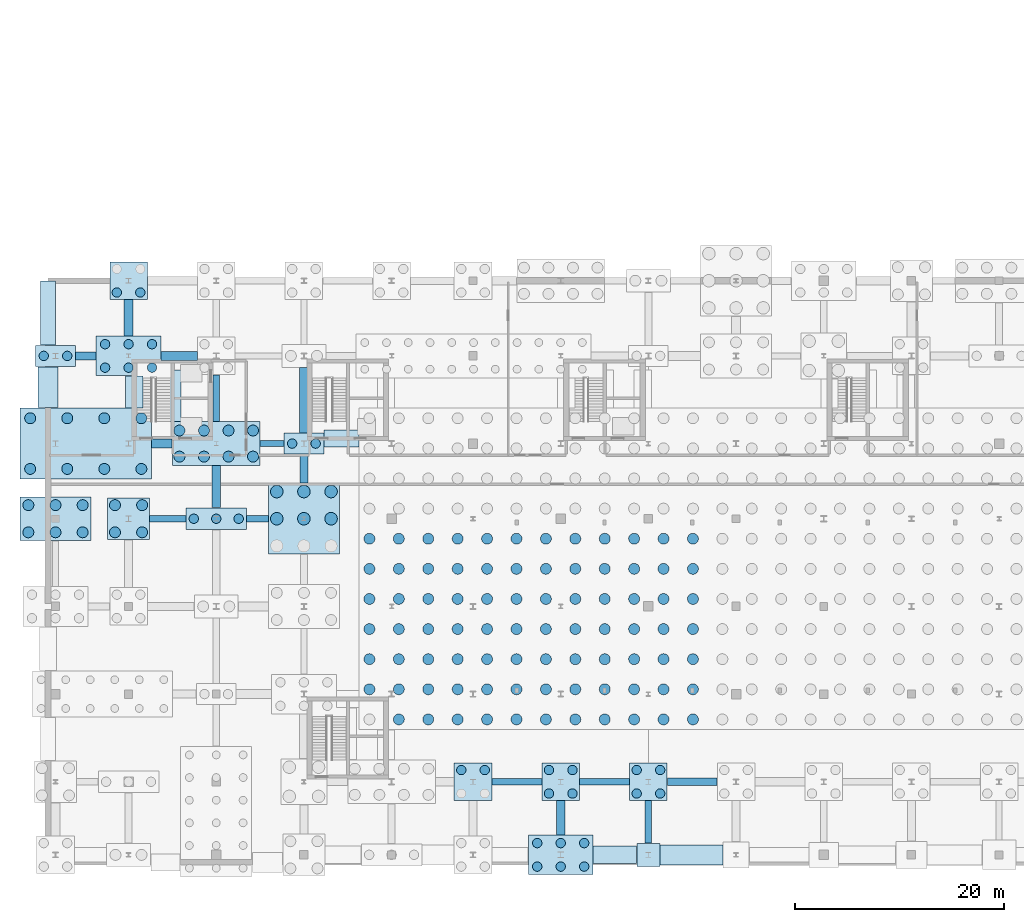
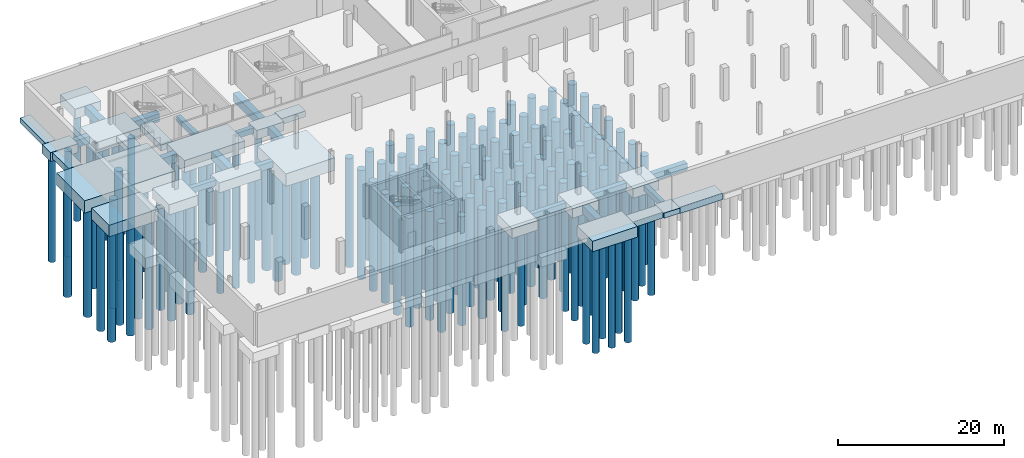
# One storey, part 2 of 32: 146 piles, 38 footings.
"""IFC4 building model written with IfcOpenShell, lengths in metres."""

from ifc_helpers import new_model, si_unit, direction, frame, origin_with_axes, origin_2d_with_axis, place, context, subcontext, project, spatial, rectangle, circle, extrude, material, material_profile, profile_set, type_object, element, save


model = new_model("IFC4")

# Units and contexts
model_context = context("Model", 3, precision=1e-05, world=origin_with_axes(), true_north=direction((0.0, 1.0)))
body_context = subcontext(model_context, "Body", "Model", "MODEL_VIEW")
ifc_project = project(units=[si_unit("LENGTHUNIT", "METRE"), si_unit("AREAUNIT", "SQUARE_METRE"), si_unit("VOLUMEUNIT", "CUBIC_METRE"), si_unit("PLANEANGLEUNIT", "RADIAN"), si_unit("MASSUNIT", "GRAM", prefix="KILO"), si_unit("THERMODYNAMICTEMPERATUREUNIT", "KELVIN")], contexts=[model_context])

# Site, building, storey
site_placement = place(None, origin_with_axes())
site = spatial("IfcSite", under=ifc_project, at=site_placement, CompositionType="ELEMENT")
building_placement = place(site_placement, origin_with_axes())
building = spatial("IfcBuilding", under=site, at=building_placement, Name="Montbau Bow Law Courts", CompositionType="ELEMENT")
storey_placement = place(building_placement, frame((0.0, 0.0, -4.8), z_axis=(0.0, 0.0, 1.0), x_axis=(1.0, 0.0, 0.0)))
storey = spatial("IfcBuildingStorey", under=building, at=storey_placement, Name="B1", CompositionType="ELEMENT", Elevation=-4.8)

# Footings
ifc_material_1 = material(Name="Concrete CSA A23.1 f'c 35 MPa", Category="concrete")
footing_type_1 = type_object("IfcFootingType", Name="FB-01", PredefinedType="FOOTING_BEAM", material=ifc_material_1)
footing_1_placement = place(None, frame((59.4, 13.8, -6.25), z_axis=(0.0, 0.0, 1.0), x_axis=(1.0, 0.0, 0.0)))
element("IfcFooting", 1, at=footing_1_placement, inside=storey, type_object=footing_type_1, Name="FB-005:fbm2_0023", PredefinedType="FOOTING_BEAM", context=body_context, shape_type="SweptSolid", body=[
    extrude(rectangle(XDim=4.77, YDim=0.65, at=origin_2d_with_axis()), origin_with_axes(), (0.0, 0.0, 1.0), 0.9),
])
footing_2_placement = place(None, frame((26.15, 39.0, -6.25), z_axis=(0.0, 0.0, 1.0), x_axis=(1.0, 0.0, 0.0)))
element("IfcFooting", 2, at=footing_2_placement, inside=storey, type_object=footing_type_1, Name="FB-029:fbm2_0047", PredefinedType="FOOTING_BEAM", context=body_context, shape_type="SweptSolid", body=[
    extrude(rectangle(XDim=2.07, YDim=0.65, at=origin_2d_with_axis()), origin_with_axes(), (0.0, 0.0, 1.0), 0.9),
])
footing_type_2 = type_object("IfcFootingType", Name="FB-02", PredefinedType="FOOTING_BEAM", material=ifc_material_1)
footing_3_placement = place(None, frame((67.8, 13.8, -6.4), z_axis=(0.0, 0.0, 1.0), x_axis=(1.0, 0.0, 0.0)))
element("IfcFooting", 3, at=footing_3_placement, inside=storey, type_object=footing_type_2, Name="FB-006:fbm2_0024", PredefinedType="FOOTING_BEAM", context=body_context, shape_type="SweptSolid", body=[
    extrude(rectangle(XDim=4.77, YDim=0.75, at=origin_2d_with_axis()), origin_with_axes(), (0.0, 0.0, 1.0), 1.05),
])
footing_4_placement = place(None, frame((9.7, 54.6, -6.4), z_axis=(0.0, 0.0, 1.0), x_axis=(1.0, 0.0, 0.0)))
element("IfcFooting", 4, at=footing_4_placement, inside=storey, type_object=footing_type_2, Name="FB-042:fbm2_0060", PredefinedType="FOOTING_BEAM", context=body_context, shape_type="SweptSolid", body=[
    extrude(rectangle(XDim=1.97, YDim=0.75, at=origin_2d_with_axis()), origin_with_axes(), (0.0, 0.0, 1.0), 1.05),
])
footing_5_placement = place(None, frame((30.6, 43.8, -6.4), z_axis=(0.0, 0.0, 1.0), x_axis=(0.0, 1.0, 0.0)))
element("IfcFooting", 5, at=footing_5_placement, inside=storey, type_object=footing_type_2, Name="FB-110:fbm2_0128", PredefinedType="FOOTING_BEAM", context=body_context, shape_type="SweptSolid", body=[
    extrude(rectangle(XDim=2.77, YDim=0.75, at=origin_2d_with_axis()), origin_with_axes(), (0.0, 0.0, 1.0), 1.05),
])
footing_type_3 = type_object("IfcFootingType", Name="FB-03", PredefinedType="FOOTING_BEAM", material=ifc_material_1)
footing_6_placement = place(None, frame((17.0, 46.2, -6.55), z_axis=(0.0, 0.0, 1.0), x_axis=(1.0, 0.0, 0.0)))
element("IfcFooting", 6, at=footing_6_placement, inside=storey, type_object=footing_type_3, Name="FB-035:fbm2_0053", PredefinedType="FOOTING_BEAM", context=body_context, shape_type="SweptSolid", body=[
    extrude(rectangle(XDim=1.97, YDim=0.85, at=origin_2d_with_axis()), origin_with_axes(), (0.0, 0.0, 1.0), 1.2),
])
for number, where, z_axis, x_axis, name in (
    (7, (18.65, 54.6, -6.55), (0.0, 0.0, 1.0), (1.0, 0.0, 0.0), "FB-043:fbm2_0061"),
    (8, (13.8, 58.25, -6.55), (0.0, 0.0, 1.0), (0.0, 1.0, 0.0), "FB-099:fbm2_0117"),
):
    element("IfcFooting", number, at=place(None, frame(where, z_axis=z_axis, x_axis=x_axis)), inside=storey, type_object=footing_type_3, Name=name, PredefinedType="FOOTING_BEAM", context=body_context, shape_type="SweptSolid", body=[
        extrude(rectangle(XDim=3.47, YDim=0.85, at=origin_2d_with_axis()), origin_with_axes(), (0.0, 0.0, 1.0), 1.2),
    ])
footing_7_placement = place(None, frame((22.2, 42.075, -6.55), z_axis=(0.0, 0.0, 1.0), x_axis=(0.0, 1.0, 0.0)))
element("IfcFooting", 9, at=footing_7_placement, inside=storey, type_object=footing_type_3, Name="FB-103:fbm2_0121", PredefinedType="FOOTING_BEAM", context=body_context, shape_type="SweptSolid", body=[
    extrude(rectangle(XDim=4.02, YDim=0.85, at=origin_2d_with_axis()), origin_with_axes(), (0.0, 0.0, 1.0), 1.2),
])
footing_8_placement = place(None, frame((30.6, 50.35, -6.55), z_axis=(0.0, 0.0, 1.0), x_axis=(0.0, 1.0, 0.0)))
element("IfcFooting", 10, at=footing_8_placement, inside=storey, type_object=footing_type_3, Name="FB-111:fbm2_0129", PredefinedType="FOOTING_BEAM", context=body_context, shape_type="SweptSolid", body=[
    extrude(rectangle(XDim=6.27, YDim=0.85, at=origin_2d_with_axis()), origin_with_axes(), (0.0, 0.0, 1.0), 1.2),
])
footing_9_placement = place(None, frame((55.2, 10.35, -6.55), z_axis=(0.0, 0.0, 1.0), x_axis=(0.0, 1.0, 0.0)))
element("IfcFooting", 11, at=footing_9_placement, inside=storey, type_object=footing_type_3, Name="FB-115:fbm2_0133", PredefinedType="FOOTING_BEAM", context=body_context, shape_type="SweptSolid", body=[
    extrude(rectangle(XDim=3.27, YDim=0.85, at=origin_2d_with_axis()), origin_with_axes(), (0.0, 0.0, 1.0), 1.2),
])
footing_type_4 = type_object("IfcFootingType", Name="FB-04", PredefinedType="FOOTING_BEAM", material=ifc_material_1)
footing_10_placement = place(None, frame((51.0, 13.8, -6.15), z_axis=(0.0, 0.0, 1.0), x_axis=(1.0, 0.0, 0.0)))
element("IfcFooting", 12, at=footing_10_placement, inside=storey, type_object=footing_type_4, Name="FB-004:fbm2_0022", PredefinedType="FOOTING_BEAM", context=body_context, shape_type="SweptSolid", body=[
    extrude(rectangle(XDim=4.77, YDim=0.6, at=origin_2d_with_axis()), origin_with_axes(), (0.0, 0.0, 1.0), 0.8),
])
footing_11_placement = place(None, frame((17.55, 39.0, -6.15), z_axis=(0.0, 0.0, 1.0), x_axis=(1.0, 0.0, 0.0)))
element("IfcFooting", 13, at=footing_11_placement, inside=storey, type_object=footing_type_4, Name="FB-028:fbm2_0046", PredefinedType="FOOTING_BEAM", context=body_context, shape_type="SweptSolid", body=[
    extrude(rectangle(XDim=3.47, YDim=0.6, at=origin_2d_with_axis()), origin_with_axes(), (0.0, 0.0, 1.0), 0.8),
])
footing_12_placement = place(None, frame((27.55, 46.2, -6.15), z_axis=(0.0, 0.0, 1.0), x_axis=(1.0, 0.0, 0.0)))
element("IfcFooting", 14, at=footing_12_placement, inside=storey, type_object=footing_type_4, Name="FB-036:fbm2_0054", PredefinedType="FOOTING_BEAM", context=body_context, shape_type="SweptSolid", body=[
    extrude(rectangle(XDim=2.27, YDim=0.6, at=origin_2d_with_axis()), origin_with_axes(), (0.0, 0.0, 1.0), 0.8),
])
footing_13_placement = place(None, frame((22.2, 50.55, -6.15), z_axis=(0.0, 0.0, 1.0), x_axis=(0.0, 1.0, 0.0)))
element("IfcFooting", 15, at=footing_13_placement, inside=storey, type_object=footing_type_4, Name="FB-104:fbm2_0122", PredefinedType="FOOTING_BEAM", context=body_context, shape_type="SweptSolid", body=[
    extrude(rectangle(XDim=4.47, YDim=0.6, at=origin_2d_with_axis()), origin_with_axes(), (0.0, 0.0, 1.0), 0.8),
])
footing_14_placement = place(None, frame((63.6, 9.95, -6.15), z_axis=(0.0, 0.0, 1.0), x_axis=(0.0, 1.0, 0.0)))
element("IfcFooting", 16, at=footing_14_placement, inside=storey, type_object=footing_type_4, Name="FB-116:fbm2_0134", PredefinedType="FOOTING_BEAM", context=body_context, shape_type="SweptSolid", body=[
    extrude(rectangle(XDim=4.07, YDim=0.6, at=origin_2d_with_axis()), origin_with_axes(), (0.0, 0.0, 1.0), 0.8),
])
footing_type_5 = type_object("IfcFootingType", Name="FC-01", PredefinedType="PILE_CAP", material=ifc_material_1)
for number, where, z_axis, x_axis, name in (
    (17, (13.8, 61.8, -6.75), (0.0, 0.0, 1.0), (1.0, 0.0, 0.0), "FC-PLZ-01:ftg2_0124"),
    (18, (46.8, 13.8, -6.75), (0.0, 0.0, 1.0), (1.0, 0.0, 0.0), "FC-PLZ-06:ftg2_0129"),
    (19, (55.2, 13.8, -6.75), (0.0, 0.0, 1.0), (1.0, 0.0, 0.0), "FC-PLZ-07:ftg2_0130"),
    (20, (63.6, 13.8, -6.75), (0.0, 0.0, 1.0), (1.0, 0.0, 0.0), "FC-PLZ-08:ftg2_0131"),
):
    element("IfcFooting", number, at=place(None, frame(where, z_axis=z_axis, x_axis=x_axis)), inside=storey, type_object=footing_type_5, Name=name, PredefinedType="PILE_CAP", context=body_context, shape_type="SweptSolid", body=[
        extrude(rectangle(XDim=3.6, YDim=3.6, at=origin_2d_with_axis()), origin_with_axes(), (0.0, 0.0, 1.0), 1.4),
    ])
footing_type_6 = type_object("IfcFootingType", Name="FC-02", PredefinedType="PILE_CAP", material=ifc_material_1)
footing_15_placement = place(None, frame((13.8, 39.0, -6.85), z_axis=(0.0, 0.0, 1.0), x_axis=(1.0, 0.0, 0.0)))
element("IfcFooting", 21, at=footing_15_placement, inside=storey, type_object=footing_type_6, Name="FCA-011:ftg2_0011", PredefinedType="PILE_CAP", context=body_context, shape_type="SweptSolid", body=[
    extrude(rectangle(XDim=4.0, YDim=4.0, at=origin_2d_with_axis()), origin_with_axes(), (0.0, 0.0, 1.0), 1.5),
])
footing_type_7 = type_object("IfcFootingType", Name="FC-04", PredefinedType="PILE_CAP", material=ifc_material_1)
for number, where, z_axis, x_axis, name in (
    (22, (13.8, 54.6, -6.9), (0.0, 0.0, 1.0), (1.0, 0.0, 0.0), "FCA-012:ftg2_0012"),
    (23, (55.2, 6.8, -6.9), (0.0, 0.0, 1.0), (1.0, 0.0, 0.0), "FCA-031:ftg2_0031"),
):
    element("IfcFooting", number, at=place(None, frame(where, z_axis=z_axis, x_axis=x_axis)), inside=storey, type_object=footing_type_7, Name=name, PredefinedType="PILE_CAP", context=body_context, shape_type="SweptSolid", body=[
        extrude(rectangle(XDim=6.2, YDim=3.8, at=origin_2d_with_axis()), origin_with_axes(), (0.0, 0.0, 1.0), 1.55),
    ])
footing_type_8 = type_object("IfcFootingType", Name="FC-05", PredefinedType="PILE_CAP", material=ifc_material_1)
footing_16_placement = place(None, frame((6.8, 39.0, -7.05), z_axis=(0.0, 0.0, 1.0), x_axis=(1.0, 0.0, 0.0)))
element("IfcFooting", 24, at=footing_16_placement, inside=storey, type_object=footing_type_8, Name="FCA-005:ftg2_0005", PredefinedType="PILE_CAP", context=body_context, shape_type="SweptSolid", body=[
    extrude(rectangle(XDim=6.8, YDim=4.2, at=origin_2d_with_axis()), origin_with_axes(), (0.0, 0.0, 1.0), 1.7),
])
footing_type_9 = type_object("IfcFootingType", Name="FC-06", PredefinedType="PILE_CAP", material=ifc_material_1)
footing_17_placement = place(None, frame((30.6, 39.0, -7.2), z_axis=(0.0, 0.0, 1.0), x_axis=(1.0, 0.0, 0.0)))
element("IfcFooting", 25, at=footing_17_placement, inside=storey, type_object=footing_type_9, Name="FCA-023:ftg2_0023", PredefinedType="PILE_CAP", context=body_context, shape_type="SweptSolid", body=[
    extrude(rectangle(XDim=6.8, YDim=6.8, at=origin_2d_with_axis()), origin_with_axes(), (0.0, 0.0, 1.0), 1.85),
])
footing_type_10 = type_object("IfcFootingType", Name="FC-07", PredefinedType="PILE_CAP", material=ifc_material_1)
for number, where, z_axis, x_axis, name in (
    (26, (6.8, 54.6, -6.65), (0.0, 0.0, 1.0), (1.0, 0.0, 0.0), "FCA-007:ftg2_0007"),
    (27, (30.6, 46.2, -6.65), (0.0, 0.0, 1.0), (1.0, 0.0, 0.0), "FCA-024:ftg2_0024"),
):
    element("IfcFooting", number, at=place(None, frame(where, z_axis=z_axis, x_axis=x_axis)), inside=storey, type_object=footing_type_10, Name=name, PredefinedType="PILE_CAP", context=body_context, shape_type="SweptSolid", body=[
        extrude(rectangle(XDim=3.8, YDim=2.0, at=origin_2d_with_axis()), origin_with_axes(), (0.0, 0.0, 1.0), 1.3),
    ])
footing_type_11 = type_object("IfcFootingType", Name="FC-09", PredefinedType="PILE_CAP", material=ifc_material_1)
footing_18_placement = place(None, frame((22.2, 39.0, -6.8), z_axis=(0.0, 0.0, 1.0), x_axis=(1.0, 0.0, 0.0)))
element("IfcFooting", 28, at=footing_18_placement, inside=storey, type_object=footing_type_11, Name="FCA-016:ftg2_0016", PredefinedType="PILE_CAP", context=body_context, shape_type="SweptSolid", body=[
    extrude(rectangle(XDim=5.8, YDim=2.1, at=origin_2d_with_axis()), origin_with_axes(), (0.0, 0.0, 1.0), 1.45),
])
footing_type_12 = type_object("IfcFootingType", Name="FC-10", PredefinedType="PILE_CAP", material=ifc_material_1)
footing_19_placement = place(None, frame((22.2, 46.2, -7.1), z_axis=(0.0, 0.0, 1.0), x_axis=(1.0, 0.0, 0.0)))
element("IfcFooting", 29, at=footing_19_placement, inside=storey, type_object=footing_type_12, Name="FCA-017:ftg2_0017", PredefinedType="PILE_CAP", context=body_context, shape_type="SweptSolid", body=[
    extrude(rectangle(XDim=8.4, YDim=4.2, at=origin_2d_with_axis()), origin_with_axes(), (0.0, 0.0, 1.0), 1.75),
])
footing_type_13 = type_object("IfcFootingType", Name="FC-CMB", PredefinedType="PILE_CAP", material=ifc_material_1)
footing_20_placement = place(None, frame((9.7, 46.2, -7.15), z_axis=(0.0, 0.0, 1.0), x_axis=(1.0, 0.0, 0.0)))
element("IfcFooting", 30, at=footing_20_placement, inside=storey, type_object=footing_type_13, Name="FCA-006:ftg2_0006", PredefinedType="PILE_CAP", context=body_context, shape_type="SweptSolid", body=[
    extrude(rectangle(XDim=12.6, YDim=6.8, at=origin_2d_with_axis()), origin_with_axes(), (0.0, 0.0, 1.0), 1.8),
])
footing_type_14 = type_object("IfcFootingType", Name="FP-01", PredefinedType="PAD_FOOTING", material=ifc_material_1)
footing_21_placement = place(None, frame((63.6, 6.8, -6.1), z_axis=(0.0, 0.0, 1.0), x_axis=(1.0, 0.0, 0.0)))
element("IfcFooting", 31, at=footing_21_placement, inside=storey, type_object=footing_type_14, Name="FP-01:ftg2_0116", PredefinedType="PAD_FOOTING", context=body_context, shape_type="SweptSolid", body=[
    extrude(rectangle(XDim=2.2, YDim=2.2, at=origin_2d_with_axis()), origin_with_axes(), (0.0, 0.0, 1.0), 0.75),
])

# Piles
ifc_material_2 = material(Name="Concrete CSA A23.1 f'c 40 MPa", Category="concrete")
ifc_material_profile_1 = material_profile(ifc_material_2, circle(Radius=0.45, at=origin_2d_with_axis()), Name="BP900", Category="Main", Priority=0)
ifc_profile_set_1 = profile_set([ifc_material_profile_1], Name="Concrete CSA A23.1 f'c 40 MPa")
pile_type_1 = type_object("IfcPileType", Name="P-0900", PredefinedType="BORED", material=ifc_profile_set_1)
for number, where, z_axis, x_axis, name in (
    (32, (5.675, 54.6, -22.05), (0.0, 0.0, 1.0), (1.0, 0.0, 0.0), "FCA-007-P01:pil_f2_0021"),
    (33, (7.925, 54.6, -22.05), (0.0, 0.0, 1.0), (1.0, 0.0, 0.0), "FCA-007-P02:pil_f2_0022"),
    (34, (11.55, 53.475, -22.3), (0.0, 0.0, 1.0), (1.0, 0.0, 0.0), "FCA-012-P01:pil_f2_0036"),
    (35, (11.55, 55.725, -22.3), (0.0, 0.0, 1.0), (1.0, 0.0, 0.0), "FCA-012-P02:pil_f2_0037"),
    (36, (13.8, 53.475, -22.3), (0.0, 0.0, 1.0), (1.0, 0.0, 0.0), "FCA-012-P03:pil_f2_0038"),
    (37, (13.8, 55.725, -22.3), (0.0, 0.0, 1.0), (1.0, 0.0, 0.0), "FCA-012-P04:pil_f2_0039"),
    (38, (16.05, 53.475, -22.3), (0.0, 0.0, 1.0), (1.0, 0.0, 0.0), "FCA-012-P05:pil_f2_0040"),
    (39, (16.05, 55.725, -22.3), (0.0, 0.0, 1.0), (1.0, 0.0, 0.0), "FCA-012-P06:pil_f2_0041"),
    (40, (20.05, 39.0, -22.2), (0.0, 0.0, 1.0), (1.0, 0.0, 0.0), "FCA-016-P01:pil_f2_0046"),
    (41, (22.2, 39.0, -22.2), (0.0, 0.0, 1.0), (1.0, 0.0, 0.0), "FCA-016-P02:pil_f2_0047"),
    (42, (24.35, 39.0, -22.2), (0.0, 0.0, 1.0), (1.0, 0.0, 0.0), "FCA-016-P03:pil_f2_0048"),
    (43, (29.475, 46.2, -22.05), (0.0, 0.0, 1.0), (1.0, 0.0, 0.0), "FCA-024-P01:pil_f2_0090"),
    (44, (31.725, 46.2, -22.05), (0.0, 0.0, 1.0), (1.0, 0.0, 0.0), "FCA-024-P02:pil_f2_0091"),
    (45, (52.95, 5.675, -22.3), (0.0, 0.0, 1.0), (1.0, 0.0, 0.0), "FCA-031-P01:pil_f2_0109"),
    (46, (52.95, 7.925, -22.3), (0.0, 0.0, 1.0), (1.0, 0.0, 0.0), "FCA-031-P02:pil_f2_0110"),
    (47, (55.2, 5.675, -22.3), (0.0, 0.0, 1.0), (1.0, 0.0, 0.0), "FCA-031-P03:pil_f2_0111"),
    (48, (55.2, 7.925, -22.3), (0.0, 0.0, 1.0), (1.0, 0.0, 0.0), "FCA-031-P04:pil_f2_0112"),
    (49, (57.45, 5.675, -22.3), (0.0, 0.0, 1.0), (1.0, 0.0, 0.0), "FCA-031-P05:pil_f2_0113"),
    (50, (57.45, 7.925, -22.3), (0.0, 0.0, 1.0), (1.0, 0.0, 0.0), "FCA-031-P06:pil_f2_0114"),
    (51, (12.675, 60.675, -22.15), (0.0, 0.0, 1.0), (1.0, 0.0, 0.0), "FC-PLZ-01-P01:pil_f2_0455"),
    (52, (14.925, 60.675, -22.15), (0.0, 0.0, 1.0), (1.0, 0.0, 0.0), "FC-PLZ-01-P03:pil_f2_0457"),
    (53, (45.675, 14.925, -22.15), (0.0, 0.0, 1.0), (1.0, 0.0, 0.0), "FC-PLZ-06-P02:pil_f2_0476"),
    (54, (47.925, 14.925, -22.15), (0.0, 0.0, 1.0), (1.0, 0.0, 0.0), "FC-PLZ-06-P04:pil_f2_0478"),
    (55, (54.075, 12.675, -22.15), (0.0, 0.0, 1.0), (1.0, 0.0, 0.0), "FC-PLZ-07-P01:pil_f2_0479"),
    (56, (54.075, 14.925, -22.15), (0.0, 0.0, 1.0), (1.0, 0.0, 0.0), "FC-PLZ-07-P02:pil_f2_0480"),
    (57, (56.325, 12.675, -22.15), (0.0, 0.0, 1.0), (1.0, 0.0, 0.0), "FC-PLZ-07-P03:pil_f2_0481"),
    (58, (56.325, 14.925, -22.15), (0.0, 0.0, 1.0), (1.0, 0.0, 0.0), "FC-PLZ-07-P04:pil_f2_0482"),
    (59, (62.475, 12.675, -22.15), (0.0, 0.0, 1.0), (1.0, 0.0, 0.0), "FC-PLZ-08-P01:pil_f2_0483"),
    (60, (62.475, 14.925, -22.15), (0.0, 0.0, 1.0), (1.0, 0.0, 0.0), "FC-PLZ-08-P02:pil_f2_0484"),
    (61, (64.725, 12.675, -22.15), (0.0, 0.0, 1.0), (1.0, 0.0, 0.0), "FC-PLZ-08-P03:pil_f2_0485"),
    (62, (64.725, 14.925, -22.15), (0.0, 0.0, 1.0), (1.0, 0.0, 0.0), "FC-PLZ-08-P04:pil_f2_0486"),
):
    element("IfcPile", number, at=place(None, frame(where, z_axis=z_axis, x_axis=x_axis)), inside=storey, type_object=pile_type_1, Name=name, ConstructionType="CAST_IN_PLACE", PredefinedType="BORED", context=body_context, shape_type="SweptSolid", body=[
        extrude(circle(Radius=0.45, at=origin_2d_with_axis()), origin_with_axes(), (0.0, 0.0, 1.0), 15.5),
    ])
ifc_material_profile_2 = material_profile(ifc_material_2, circle(Radius=0.525, at=origin_2d_with_axis()), Name="BP1050", Category="Main", Priority=0)
ifc_profile_set_2 = profile_set([ifc_material_profile_2], Name="Concrete CSA A23.1 f'c 40 MPa")
pile_type_2 = type_object("IfcPileType", Name="P-1050", PredefinedType="BORED", material=ifc_profile_set_2)
for number, where, z_axis, x_axis, name in (
    (63, (4.375, 43.775, -23.05), (0.0, 0.0, 1.0), (1.0, 0.0, 0.0), "FCA-006-P01:pil_e2_0013"),
    (64, (4.375, 48.625, -23.05), (0.0, 0.0, 1.0), (1.0, 0.0, 0.0), "FCA-006-P02:pil_e2_0014"),
    (65, (7.925, 43.775, -23.05), (0.0, 0.0, 1.0), (1.0, 0.0, 0.0), "FCA-006-P03:pil_e2_0015"),
    (66, (7.925, 48.625, -23.05), (0.0, 0.0, 1.0), (1.0, 0.0, 0.0), "FCA-006-P04:pil_e2_0016"),
    (67, (11.475, 43.775, -23.05), (0.0, 0.0, 1.0), (1.0, 0.0, 0.0), "FCA-006-P05:pil_e2_0017"),
    (68, (11.475, 48.625, -23.05), (0.0, 0.0, 1.0), (1.0, 0.0, 0.0), "FCA-006-P06:pil_e2_0018"),
    (69, (15.025, 43.775, -23.05), (0.0, 0.0, 1.0), (1.0, 0.0, 0.0), "FCA-006-P07:pil_e2_0019"),
    (70, (15.025, 48.625, -23.05), (0.0, 0.0, 1.0), (1.0, 0.0, 0.0), "FCA-006-P08:pil_e2_0020"),
    (71, (36.875, 22.66, -23.05), (0.0, 0.0, 1.0), (1.0, 0.0, 0.0), "FCA-028-P02:pil_e2_0040"),
    (72, (36.875, 25.545, -23.05), (0.0, 0.0, 1.0), (1.0, 0.0, 0.0), "FCA-028-P03:pil_e2_0041"),
    (73, (36.875, 28.43, -23.05), (0.0, 0.0, 1.0), (1.0, 0.0, 0.0), "FCA-028-P04:pil_e2_0042"),
    (74, (36.875, 31.315, -23.05), (0.0, 0.0, 1.0), (1.0, 0.0, 0.0), "FCA-028-P05:pil_e2_0043"),
    (75, (36.875, 34.2, -23.05), (0.0, 0.0, 1.0), (1.0, 0.0, 0.0), "FCA-028-P06:pil_e2_0044"),
    (76, (36.875, 37.085, -23.05), (0.0, 0.0, 1.0), (1.0, 0.0, 0.0), "FCA-028-P07:pil_e2_0045"),
    (77, (39.693, 19.775, -23.05), (0.0, 0.0, 1.0), (1.0, 0.0, 0.0), "FCA-028-P12:pil_e2_0050"),
    (78, (39.693, 22.66, -23.05), (0.0, 0.0, 1.0), (1.0, 0.0, 0.0), "FCA-028-P13:pil_e2_0051"),
    (79, (39.693, 25.545, -23.05), (0.0, 0.0, 1.0), (1.0, 0.0, 0.0), "FCA-028-P14:pil_e2_0052"),
    (80, (39.693, 28.43, -23.05), (0.0, 0.0, 1.0), (1.0, 0.0, 0.0), "FCA-028-P15:pil_e2_0053"),
    (81, (39.693, 31.315, -23.05), (0.0, 0.0, 1.0), (1.0, 0.0, 0.0), "FCA-028-P16:pil_e2_0054"),
    (82, (39.693, 34.2, -23.05), (0.0, 0.0, 1.0), (1.0, 0.0, 0.0), "FCA-028-P17:pil_e2_0055"),
    (83, (39.693, 37.085, -23.05), (0.0, 0.0, 1.0), (1.0, 0.0, 0.0), "FCA-028-P18:pil_e2_0056"),
    (84, (42.51, 19.775, -23.05), (0.0, 0.0, 1.0), (1.0, 0.0, 0.0), "FCA-028-P23:pil_e2_0061"),
    (85, (42.51, 22.66, -23.05), (0.0, 0.0, 1.0), (1.0, 0.0, 0.0), "FCA-028-P24:pil_e2_0062"),
    (86, (42.51, 25.545, -23.05), (0.0, 0.0, 1.0), (1.0, 0.0, 0.0), "FCA-028-P25:pil_e2_0063"),
    (87, (42.51, 28.43, -23.05), (0.0, 0.0, 1.0), (1.0, 0.0, 0.0), "FCA-028-P26:pil_e2_0064"),
    (88, (42.51, 31.315, -23.05), (0.0, 0.0, 1.0), (1.0, 0.0, 0.0), "FCA-028-P27:pil_e2_0065"),
    (89, (42.51, 34.2, -23.05), (0.0, 0.0, 1.0), (1.0, 0.0, 0.0), "FCA-028-P28:pil_e2_0066"),
    (90, (42.51, 37.085, -23.05), (0.0, 0.0, 1.0), (1.0, 0.0, 0.0), "FCA-028-P29:pil_e2_0067"),
    (91, (45.328, 19.775, -23.05), (0.0, 0.0, 1.0), (1.0, 0.0, 0.0), "FCA-028-P34:pil_e2_0072"),
    (92, (45.328, 22.66, -23.05), (0.0, 0.0, 1.0), (1.0, 0.0, 0.0), "FCA-028-P35:pil_e2_0073"),
    (93, (45.328, 25.545, -23.05), (0.0, 0.0, 1.0), (1.0, 0.0, 0.0), "FCA-028-P36:pil_e2_0074"),
    (94, (45.328, 28.43, -23.05), (0.0, 0.0, 1.0), (1.0, 0.0, 0.0), "FCA-028-P37:pil_e2_0075"),
    (95, (45.328, 31.315, -23.05), (0.0, 0.0, 1.0), (1.0, 0.0, 0.0), "FCA-028-P38:pil_e2_0076"),
    (96, (45.328, 34.2, -23.05), (0.0, 0.0, 1.0), (1.0, 0.0, 0.0), "FCA-028-P39:pil_e2_0077"),
    (97, (45.328, 37.085, -23.05), (0.0, 0.0, 1.0), (1.0, 0.0, 0.0), "FCA-028-P40:pil_e2_0078"),
    (98, (48.146, 19.775, -23.05), (0.0, 0.0, 1.0), (1.0, 0.0, 0.0), "FCA-028-P45:pil_e2_0083"),
    (99, (48.146, 22.66, -23.05), (0.0, 0.0, 1.0), (1.0, 0.0, 0.0), "FCA-028-P46:pil_e2_0084"),
    (100, (48.146, 25.545, -23.05), (0.0, 0.0, 1.0), (1.0, 0.0, 0.0), "FCA-028-P47:pil_e2_0085"),
    (101, (48.146, 28.43, -23.05), (0.0, 0.0, 1.0), (1.0, 0.0, 0.0), "FCA-028-P48:pil_e2_0086"),
    (102, (48.146, 31.315, -23.05), (0.0, 0.0, 1.0), (1.0, 0.0, 0.0), "FCA-028-P49:pil_e2_0087"),
    (103, (48.146, 34.2, -23.05), (0.0, 0.0, 1.0), (1.0, 0.0, 0.0), "FCA-028-P50:pil_e2_0088"),
    (104, (48.146, 37.085, -23.05), (0.0, 0.0, 1.0), (1.0, 0.0, 0.0), "FCA-028-P51:pil_e2_0089"),
    (105, (50.964, 19.775, -23.05), (0.0, 0.0, 1.0), (1.0, 0.0, 0.0), "FCA-028-P56:pil_e2_0094"),
    (106, (50.964, 22.66, -23.05), (0.0, 0.0, 1.0), (1.0, 0.0, 0.0), "FCA-028-P57:pil_e2_0095"),
    (107, (50.964, 25.545, -23.05), (0.0, 0.0, 1.0), (1.0, 0.0, 0.0), "FCA-028-P58:pil_e2_0096"),
    (108, (50.964, 28.43, -23.05), (0.0, 0.0, 1.0), (1.0, 0.0, 0.0), "FCA-028-P59:pil_e2_0097"),
    (109, (50.964, 31.315, -23.05), (0.0, 0.0, 1.0), (1.0, 0.0, 0.0), "FCA-028-P60:pil_e2_0098"),
    (110, (50.964, 34.2, -23.05), (0.0, 0.0, 1.0), (1.0, 0.0, 0.0), "FCA-028-P61:pil_e2_0099"),
    (111, (50.964, 37.085, -23.05), (0.0, 0.0, 1.0), (1.0, 0.0, 0.0), "FCA-028-P62:pil_e2_0100"),
    (112, (53.781, 19.775, -23.05), (0.0, 0.0, 1.0), (1.0, 0.0, 0.0), "FCA-028-P67:pil_e2_0105"),
    (113, (53.781, 22.66, -23.05), (0.0, 0.0, 1.0), (1.0, 0.0, 0.0), "FCA-028-P68:pil_e2_0106"),
    (114, (53.781, 25.545, -23.05), (0.0, 0.0, 1.0), (1.0, 0.0, 0.0), "FCA-028-P69:pil_e2_0107"),
    (115, (53.781, 28.43, -23.05), (0.0, 0.0, 1.0), (1.0, 0.0, 0.0), "FCA-028-P70:pil_e2_0108"),
    (116, (53.781, 31.315, -23.05), (0.0, 0.0, 1.0), (1.0, 0.0, 0.0), "FCA-028-P71:pil_e2_0109"),
    (117, (53.781, 34.2, -23.05), (0.0, 0.0, 1.0), (1.0, 0.0, 0.0), "FCA-028-P72:pil_e2_0110"),
    (118, (53.781, 37.085, -23.05), (0.0, 0.0, 1.0), (1.0, 0.0, 0.0), "FCA-028-P73:pil_e2_0111"),
    (119, (56.599, 19.775, -23.05), (0.0, 0.0, 1.0), (1.0, 0.0, 0.0), "FCA-028-P78:pil_e2_0116"),
    (120, (56.599, 22.66, -23.05), (0.0, 0.0, 1.0), (1.0, 0.0, 0.0), "FCA-028-P79:pil_e2_0117"),
    (121, (56.599, 25.545, -23.05), (0.0, 0.0, 1.0), (1.0, 0.0, 0.0), "FCA-028-P80:pil_e2_0118"),
    (122, (56.599, 28.43, -23.05), (0.0, 0.0, 1.0), (1.0, 0.0, 0.0), "FCA-028-P81:pil_e2_0119"),
    (123, (56.599, 31.315, -23.05), (0.0, 0.0, 1.0), (1.0, 0.0, 0.0), "FCA-028-P82:pil_e2_0120"),
    (124, (56.599, 34.2, -23.05), (0.0, 0.0, 1.0), (1.0, 0.0, 0.0), "FCA-028-P83:pil_e2_0121"),
    (125, (56.599, 37.085, -23.05), (0.0, 0.0, 1.0), (1.0, 0.0, 0.0), "FCA-028-P84:pil_e2_0122"),
    (126, (59.417, 19.775, -23.05), (0.0, 0.0, 1.0), (1.0, 0.0, 0.0), "FCA-028-P89:pil_e2_0127"),
    (127, (59.417, 22.66, -23.05), (0.0, 0.0, 1.0), (1.0, 0.0, 0.0), "FCA-028-P90:pil_e2_0128"),
    (128, (59.417, 25.545, -23.05), (0.0, 0.0, 1.0), (1.0, 0.0, 0.0), "FCA-028-P91:pil_e2_0129"),
    (129, (59.417, 28.43, -23.05), (0.0, 0.0, 1.0), (1.0, 0.0, 0.0), "FCA-028-P92:pil_e2_0130"),
    (130, (59.417, 31.315, -23.05), (0.0, 0.0, 1.0), (1.0, 0.0, 0.0), "FCA-028-P93:pil_e2_0131"),
    (131, (59.417, 34.2, -23.05), (0.0, 0.0, 1.0), (1.0, 0.0, 0.0), "FCA-028-P94:pil_e2_0132"),
    (132, (59.417, 37.085, -23.05), (0.0, 0.0, 1.0), (1.0, 0.0, 0.0), "FCA-028-P95:pil_e2_0133"),
    (133, (62.235, 19.775, -23.05), (0.0, 0.0, 1.0), (1.0, 0.0, 0.0), "FCA-028-P100:pil_e2_0138"),
    (134, (62.235, 22.66, -23.05), (0.0, 0.0, 1.0), (1.0, 0.0, 0.0), "FCA-028-P101:pil_e2_0139"),
    (135, (62.235, 25.545, -23.05), (0.0, 0.0, 1.0), (1.0, 0.0, 0.0), "FCA-028-P102:pil_e2_0140"),
    (136, (62.235, 28.43, -23.05), (0.0, 0.0, 1.0), (1.0, 0.0, 0.0), "FCA-028-P103:pil_e2_0141"),
    (137, (62.235, 31.315, -23.05), (0.0, 0.0, 1.0), (1.0, 0.0, 0.0), "FCA-028-P104:pil_e2_0142"),
    (138, (62.235, 34.2, -23.05), (0.0, 0.0, 1.0), (1.0, 0.0, 0.0), "FCA-028-P105:pil_e2_0143"),
    (139, (62.235, 37.085, -23.05), (0.0, 0.0, 1.0), (1.0, 0.0, 0.0), "FCA-028-P106:pil_e2_0144"),
    (140, (65.052, 19.775, -23.05), (0.0, 0.0, 1.0), (1.0, 0.0, 0.0), "FCA-028-P111:pil_e2_0149"),
    (141, (65.052, 22.66, -23.05), (0.0, 0.0, 1.0), (1.0, 0.0, 0.0), "FCA-028-P112:pil_e2_0150"),
    (142, (65.052, 25.545, -23.05), (0.0, 0.0, 1.0), (1.0, 0.0, 0.0), "FCA-028-P113:pil_e2_0151"),
    (143, (65.052, 28.43, -23.05), (0.0, 0.0, 1.0), (1.0, 0.0, 0.0), "FCA-028-P114:pil_e2_0152"),
    (144, (65.052, 31.315, -23.05), (0.0, 0.0, 1.0), (1.0, 0.0, 0.0), "FCA-028-P115:pil_e2_0153"),
    (145, (65.052, 34.2, -23.05), (0.0, 0.0, 1.0), (1.0, 0.0, 0.0), "FCA-028-P116:pil_e2_0154"),
    (146, (65.052, 37.085, -23.05), (0.0, 0.0, 1.0), (1.0, 0.0, 0.0), "FCA-028-P117:pil_e2_0155"),
    (147, (67.87, 19.775, -23.05), (0.0, 0.0, 1.0), (1.0, 0.0, 0.0), "FCA-028-P122:pil_e2_0160"),
    (148, (67.87, 22.66, -23.05), (0.0, 0.0, 1.0), (1.0, 0.0, 0.0), "FCA-028-P123:pil_e2_0161"),
    (149, (67.87, 25.545, -23.05), (0.0, 0.0, 1.0), (1.0, 0.0, 0.0), "FCA-028-P124:pil_e2_0162"),
    (150, (67.87, 28.43, -23.05), (0.0, 0.0, 1.0), (1.0, 0.0, 0.0), "FCA-028-P125:pil_e2_0163"),
    (151, (67.87, 31.315, -23.05), (0.0, 0.0, 1.0), (1.0, 0.0, 0.0), "FCA-028-P126:pil_e2_0164"),
    (152, (67.87, 34.2, -23.05), (0.0, 0.0, 1.0), (1.0, 0.0, 0.0), "FCA-028-P127:pil_e2_0165"),
    (153, (67.87, 37.085, -23.05), (0.0, 0.0, 1.0), (1.0, 0.0, 0.0), "FCA-028-P128:pil_e2_0166"),
    (154, (4.2, 37.7, -22.95), (0.0, 0.0, 1.0), (1.0, 0.0, 0.0), "FCA-005-P01:pil_f2_0015"),
    (155, (4.2, 40.3, -22.95), (0.0, 0.0, 1.0), (1.0, 0.0, 0.0), "FCA-005-P02:pil_f2_0016"),
    (156, (6.8, 37.7, -22.95), (0.0, 0.0, 1.0), (1.0, 0.0, 0.0), "FCA-005-P03:pil_f2_0017"),
    (157, (6.8, 40.3, -22.95), (0.0, 0.0, 1.0), (1.0, 0.0, 0.0), "FCA-005-P04:pil_f2_0018"),
    (158, (9.4, 37.7, -22.95), (0.0, 0.0, 1.0), (1.0, 0.0, 0.0), "FCA-005-P05:pil_f2_0019"),
    (159, (9.4, 40.3, -22.95), (0.0, 0.0, 1.0), (1.0, 0.0, 0.0), "FCA-005-P06:pil_f2_0020"),
    (160, (12.5, 37.7, -22.75), (0.0, 0.0, 1.0), (1.0, 0.0, 0.0), "FCA-011-P01:pil_f2_0032"),
    (161, (12.5, 40.3, -22.75), (0.0, 0.0, 1.0), (1.0, 0.0, 0.0), "FCA-011-P02:pil_f2_0033"),
    (162, (15.1, 37.7, -22.75), (0.0, 0.0, 1.0), (1.0, 0.0, 0.0), "FCA-011-P03:pil_f2_0034"),
    (163, (15.1, 40.3, -22.75), (0.0, 0.0, 1.0), (1.0, 0.0, 0.0), "FCA-011-P04:pil_f2_0035"),
    (164, (18.675, 44.95, -23.0), (0.0, 0.0, 1.0), (1.0, 0.0, 0.0), "FCA-017-P01:pil_f2_0049"),
    (165, (18.675, 47.45, -23.0), (0.0, 0.0, 1.0), (1.0, 0.0, 0.0), "FCA-017-P02:pil_f2_0050"),
    (166, (21.025, 44.95, -23.0), (0.0, 0.0, 1.0), (1.0, 0.0, 0.0), "FCA-017-P03:pil_f2_0051"),
    (167, (21.025, 47.45, -23.0), (0.0, 0.0, 1.0), (1.0, 0.0, 0.0), "FCA-017-P04:pil_f2_0052"),
    (168, (23.375, 44.95, -23.0), (0.0, 0.0, 1.0), (1.0, 0.0, 0.0), "FCA-017-P05:pil_f2_0053"),
    (169, (23.375, 47.45, -23.0), (0.0, 0.0, 1.0), (1.0, 0.0, 0.0), "FCA-017-P06:pil_f2_0054"),
    (170, (25.725, 44.95, -23.0), (0.0, 0.0, 1.0), (1.0, 0.0, 0.0), "FCA-017-P07:pil_f2_0055"),
    (171, (25.725, 47.45, -23.0), (0.0, 0.0, 1.0), (1.0, 0.0, 0.0), "FCA-017-P08:pil_f2_0056"),
):
    element("IfcPile", number, at=place(None, frame(where, z_axis=z_axis, x_axis=x_axis)), inside=storey, type_object=pile_type_2, Name=name, ConstructionType="CAST_IN_PLACE", PredefinedType="BORED", context=body_context, shape_type="SweptSolid", body=[
        extrude(circle(Radius=0.525, at=origin_2d_with_axis()), origin_with_axes(), (0.0, 0.0, 1.0), 16.0),
    ])
ifc_material_profile_3 = material_profile(ifc_material_2, circle(Radius=0.6, at=origin_2d_with_axis()), Name="BP1200", Category="Main", Priority=0)
ifc_profile_set_3 = profile_set([ifc_material_profile_3], Name="Concrete CSA A23.1 f'c 40 MPa")
pile_type_3 = type_object("IfcPileType", Name="P-1200", PredefinedType="BORED", material=ifc_profile_set_3)
for number, where, z_axis, x_axis, name in (
    (172, (28.0, 39.0, -23.1), (0.0, 0.0, 1.0), (1.0, 0.0, 0.0), "FCA-023-P02:pil_f2_0082"),
    (173, (28.0, 41.6, -23.1), (0.0, 0.0, 1.0), (1.0, 0.0, 0.0), "FCA-023-P03:pil_f2_0083"),
    (174, (30.6, 39.0, -23.1), (0.0, 0.0, 1.0), (1.0, 0.0, 0.0), "FCA-023-P05:pil_f2_0085"),
    (175, (30.6, 41.6, -23.1), (0.0, 0.0, 1.0), (1.0, 0.0, 0.0), "FCA-023-P06:pil_f2_0086"),
    (176, (33.2, 39.0, -23.1), (0.0, 0.0, 1.0), (1.0, 0.0, 0.0), "FCA-023-P08:pil_f2_0088"),
    (177, (33.2, 41.6, -23.1), (0.0, 0.0, 1.0), (1.0, 0.0, 0.0), "FCA-023-P09:pil_f2_0089"),
):
    element("IfcPile", number, at=place(None, frame(where, z_axis=z_axis, x_axis=x_axis)), inside=storey, type_object=pile_type_3, Name=name, ConstructionType="CAST_IN_PLACE", PredefinedType="BORED", context=body_context, shape_type="SweptSolid", body=[
        extrude(circle(Radius=0.6, at=origin_2d_with_axis()), origin_with_axes(), (0.0, 0.0, 1.0), 16.0),
    ])

# Footings
footing_type_15 = type_object("IfcFootingType", Name="SF-01", PredefinedType="STRIP_FOOTING", material=ifc_material_1)
footing_22_placement = place(None, frame((6.08, 58.715, -6.1), z_axis=(0.0, 0.0, 1.0), x_axis=(0.0, 1.0, 0.0)))
element("IfcFooting", 178, at=footing_22_placement, inside=storey, type_object=footing_type_15, Name="SF-52:fbm2_0224", PredefinedType="STRIP_FOOTING", context=body_context, shape_type="SweptSolid", body=[
    extrude(rectangle(XDim=6.13, YDim=1.4, at=origin_2d_with_axis()), origin_with_axes(), (0.0, 0.0, 1.0), 0.75),
])
footing_type_16 = type_object("IfcFootingType", Name="SF-02", PredefinedType="STRIP_FOOTING", material=ifc_material_1)
footing_23_placement = place(None, frame((60.4, 6.8, -6.2), z_axis=(0.0, 0.0, 1.0), x_axis=(1.0, 0.0, 0.0)))
element("IfcFooting", 179, at=footing_23_placement, inside=storey, type_object=footing_type_16, Name="SF-05:fbm2_0005", PredefinedType="STRIP_FOOTING", context=body_context, shape_type="SweptSolid", body=[
    extrude(rectangle(XDim=4.17, YDim=1.65, at=origin_2d_with_axis()), origin_with_axes(), (0.0, 0.0, 1.0), 0.85),
])
footing_24_placement = place(None, frame((14.34, 51.15, -6.2), z_axis=(0.0, 0.0, 1.0), x_axis=(0.0, 1.0, 0.0)))
element("IfcFooting", 180, at=footing_24_placement, inside=storey, type_object=footing_type_16, Name="SF-19:fbm2_0191", PredefinedType="STRIP_FOOTING", context=body_context, shape_type="SweptSolid", body=[
    extrude(rectangle(XDim=3.04, YDim=1.65, at=origin_2d_with_axis()), origin_with_axes(), (0.0, 0.0, 1.0), 0.85),
])
footing_25_placement = place(None, frame((18.02, 50.8, -6.2), z_axis=(0.0, 0.0, 1.0), x_axis=(0.0, 1.0, 0.0)))
element("IfcFooting", 181, at=footing_25_placement, inside=storey, type_object=footing_type_16, Name="SF-20:fbm2_0192", PredefinedType="STRIP_FOOTING", context=body_context, shape_type="SweptSolid", body=[
    extrude(rectangle(XDim=4.94, YDim=1.65, at=origin_2d_with_axis()), origin_with_axes(), (0.0, 0.0, 1.0), 0.85),
])
footing_26_placement = place(None, frame((34.2, 46.68, -6.2), z_axis=(0.0, 0.0, 1.0), x_axis=(1.0, 0.0, 0.0)))
element("IfcFooting", 182, at=footing_26_placement, inside=storey, type_object=footing_type_16, Name="SF-21:fbm2_0193", PredefinedType="STRIP_FOOTING", context=body_context, shape_type="SweptSolid", body=[
    extrude(rectangle(XDim=3.34, YDim=1.65, at=origin_2d_with_axis()), origin_with_axes(), (0.0, 0.0, 1.0), 0.85),
])
footing_type_17 = type_object("IfcFootingType", Name="SF-03", PredefinedType="STRIP_FOOTING", material=ifc_material_1)
footing_27_placement = place(None, frame((67.725, 6.8, -6.3), z_axis=(0.0, 0.0, 1.0), x_axis=(1.0, 0.0, 0.0)))
element("IfcFooting", 183, at=footing_27_placement, inside=storey, type_object=footing_type_17, Name="SF-06:fbm2_0006", PredefinedType="STRIP_FOOTING", context=body_context, shape_type="SweptSolid", body=[
    extrude(rectangle(XDim=6.02, YDim=1.9, at=origin_2d_with_axis()), origin_with_axes(), (0.0, 0.0, 1.0), 0.95),
])
footing_28_placement = place(None, frame((6.08, 51.6, -6.3), z_axis=(0.0, 0.0, 1.0), x_axis=(0.0, 1.0, 0.0)))
element("IfcFooting", 184, at=footing_28_placement, inside=storey, type_object=footing_type_17, Name="SF-51:fbm2_0223", PredefinedType="STRIP_FOOTING", context=body_context, shape_type="SweptSolid", body=[
    extrude(rectangle(XDim=3.9, YDim=1.9, at=origin_2d_with_axis()), origin_with_axes(), (0.0, 0.0, 1.0), 0.95),
])

save(model, "model.ifc")
